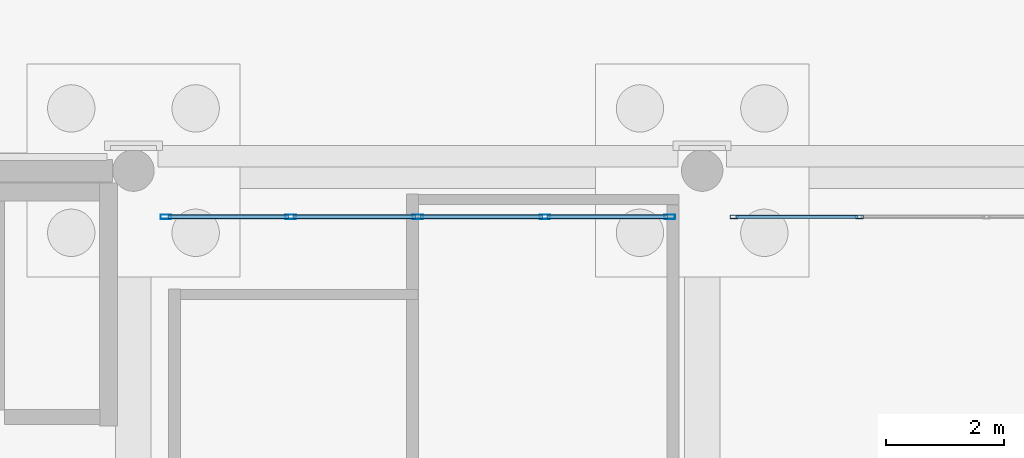
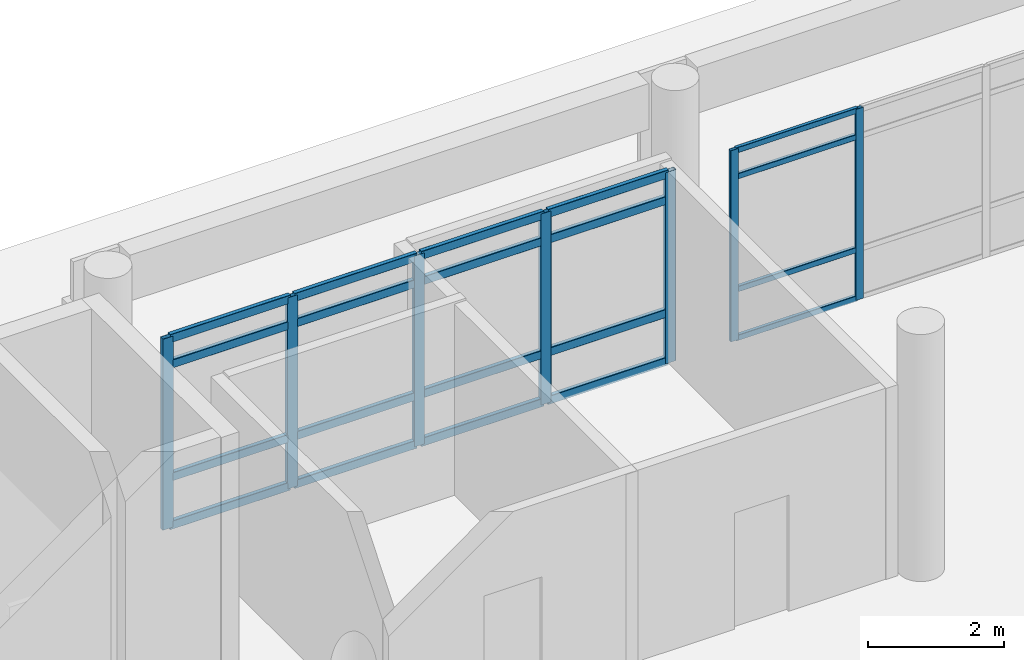
# One storey, part 120 of 196: 27 members, 2 elements without a shape of their own.
"""IFC4 building model written with IfcOpenShell, lengths in metres."""

from ifc_helpers import new_model, si_unit, direction, frame, origin, origin_2d, place, context, subcontext, project, spatial, hollow_rectangle, extrude, material, layer, layer_set, material_profile, profile_set, type_object, element, aggregate, save


model = new_model("IFC4")

# Units and contexts
model_context = context("Model", 3, precision=1e-05, world=origin(), true_north=direction((0.0, 1.0)))
body_context = subcontext(model_context, "Body", "Model", "MODEL_VIEW")
ifc_project = project(units=[si_unit("LENGTHUNIT", "METRE"), si_unit("AREAUNIT", "SQUARE_METRE"), si_unit("VOLUMEUNIT", "CUBIC_METRE"), si_unit("PLANEANGLEUNIT", "RADIAN"), si_unit("MASSUNIT", "GRAM", prefix="KILO")], contexts=[model_context])

# Site, building, storey
site_placement = place(None, origin())
site = spatial("IfcSite", under=ifc_project, at=site_placement, CompositionType="ELEMENT")
building_placement = place(site_placement, origin())
building = spatial("IfcBuilding", under=site, at=building_placement, Name="Asteropetra Specialist Clinic", CompositionType="ELEMENT")
storey_placement = place(building_placement, origin())
storey = spatial("IfcBuildingStorey", under=building, at=storey_placement, Name="L00", CompositionType="ELEMENT", Elevation=0.0)

# Curtain wall, members
ifc_material_1 = material(Name="Aluminium and low-E glass", Category="aluminium")
ifc_layer_1 = layer(ifc_material_1, 0.179931640625)
ifc_layer_set_1 = layer_set([ifc_layer_1], Name="Aluminium and low-E glass")
curtain_wall_type_1 = type_object("IfcCurtainWallType", Name="CW-SYS-10", PredefinedType="USERDEFINED", material=ifc_layer_set_1)
curtain_wall_1_placement = place(storey_placement, origin())
curtain_wall_1 = element("IfcCurtainWall", 1, at=curtain_wall_1_placement, inside=storey, type_object=curtain_wall_type_1, Name="Curtain Wall CW-209", ObjectType="STICK GLAZED COLONNADE", PredefinedType="USERDEFINED")
ifc_material_2 = material(Name="Aluminium 6063-T6", Category="aluminium")
ifc_material_profile_1 = material_profile(ifc_material_2, hollow_rectangle(XDim=0.06005859375, YDim=0.135009765625, WallThickness=0.00341796875, InnerFilletRadius=0.00341796875, OuterFilletRadius=0.007080078125, at=origin_2d()), Name="MUL 135x60x3.5")
ifc_profile_set_1 = profile_set([ifc_material_profile_1], Name="Aluminium 6063-T6")
member_type_1 = type_object("IfcMemberType", Name="CWM-135x60", PredefinedType="MULLION", material=ifc_profile_set_1)
member_1_placement = place(storey_placement, frame((108.2548828125, 104.820068359375, 0.0), z_axis=(0.0, 0.0, 1.0), x_axis=(0.0, -1.0, 0.0)))
member_1 = element("IfcMember", 2, at=member_1_placement, type_object=member_type_1, Name="CW-209 mullion 4", PredefinedType="MULLION", context=body_context, shape_type="SweptSolid", body=[
    extrude(hollow_rectangle(XDim=0.06005859375, YDim=0.135009765625, WallThickness=0.00341796875, InnerFilletRadius=0.00341796875, OuterFilletRadius=0.007080078125, at=origin_2d()), origin(), (0.0, 0.0, 1.0), 3.419921875),
])
member_2_placement = place(storey_placement, frame((106.139892578125, 104.820068359375, 0.0), z_axis=(0.0, 0.0, 1.0), x_axis=(0.0, -1.0, 0.0)))
member_2 = element("IfcMember", 3, at=member_2_placement, type_object=member_type_1, Name="CW-209 mullion 5", PredefinedType="MULLION", context=body_context, shape_type="SweptSolid", body=[
    extrude(hollow_rectangle(XDim=0.06005859375, YDim=0.135009765625, WallThickness=0.00341796875, InnerFilletRadius=0.00341796875, OuterFilletRadius=0.007080078125, at=origin_2d()), origin(), (0.0, 0.0, 1.0), 3.419921875),
])

ifc_material_3 = material(Name="Aluminium and low-E glass", Category="aluminium")
ifc_layer_2 = layer(ifc_material_3, 0.135009765625)
ifc_layer_set_2 = layer_set([ifc_layer_2], Name="Aluminium and low-E glass")
curtain_wall_type_2 = type_object("IfcCurtainWallType", Name="CW-SYS-09", PredefinedType="USERDEFINED", material=ifc_layer_set_2)
curtain_wall_2_placement = place(storey_placement, origin())
curtain_wall_2 = element("IfcCurtainWall", 4, at=curtain_wall_2_placement, inside=storey, type_object=curtain_wall_type_2, Name="Curtain Wall CW-207", ObjectType="STICK GLAZED COLONNADE", PredefinedType="USERDEFINED")
ifc_material_4 = material(Name="Aluminium 6063-T6", Category="aluminium")
ifc_material_profile_2 = material_profile(ifc_material_4, hollow_rectangle(XDim=0.074951171875, YDim=0.179931640625, WallThickness=0.00390625, InnerFilletRadius=0.00390625, OuterFilletRadius=0.008056640625, at=origin_2d()), Name="MUL 180x75x4.0")
ifc_profile_set_2 = profile_set([ifc_material_profile_2], Name="Aluminium 6063-T6")
member_type_2 = type_object("IfcMemberType", Name="CWM-180x75", PredefinedType="MULLION", material=ifc_profile_set_2)
member_3_placement = place(storey_placement, frame((105.052490234375, 104.820068359375, 0.0), z_axis=(0.0, 0.0, 1.0), x_axis=(0.0, -1.0, 0.0)))
member_3 = element("IfcMember", 5, at=member_3_placement, type_object=member_type_2, Name="CW-207 mullion 1", PredefinedType="MULLION", context=body_context, shape_type="SweptSolid", body=[
    extrude(hollow_rectangle(XDim=0.074951171875, YDim=0.179931640625, WallThickness=0.00390625, InnerFilletRadius=0.00390625, OuterFilletRadius=0.008056640625, at=origin_2d()), origin(), (0.0, 0.0, 1.0), 3.419921875),
])
member_4_placement = place(storey_placement, frame((102.945068359375, 104.820068359375, 0.0), z_axis=(0.0, 0.0, 1.0), x_axis=(0.0, -1.0, 0.0)))
member_4 = element("IfcMember", 6, at=member_4_placement, type_object=member_type_2, Name="CW-207 mullion 2", PredefinedType="MULLION", context=body_context, shape_type="SweptSolid", body=[
    extrude(hollow_rectangle(XDim=0.074951171875, YDim=0.179931640625, WallThickness=0.00390625, InnerFilletRadius=0.00390625, OuterFilletRadius=0.008056640625, at=origin_2d()), origin(), (0.0, 0.0, 1.0), 3.419921875),
])
member_5_placement = place(storey_placement, frame((100.800048828125, 104.820068359375, 0.0), z_axis=(0.0, 0.0, 1.0), x_axis=(0.0, -1.0, 0.0)))
member_5 = element("IfcMember", 7, at=member_5_placement, type_object=member_type_2, Name="CW-207 mullion 3", PredefinedType="MULLION", context=body_context, shape_type="SweptSolid", body=[
    extrude(hollow_rectangle(XDim=0.074951171875, YDim=0.179931640625, WallThickness=0.00390625, InnerFilletRadius=0.00390625, OuterFilletRadius=0.008056640625, at=origin_2d()), origin(), (0.0, 0.0, 1.0), 3.419921875),
])
member_6_placement = place(storey_placement, frame((98.655029296875, 104.820068359375, 0.0), z_axis=(0.0, 0.0, 1.0), x_axis=(0.0, -1.0, 0.0)))
member_6 = element("IfcMember", 8, at=member_6_placement, type_object=member_type_2, Name="CW-207 mullion 4", PredefinedType="MULLION", context=body_context, shape_type="SweptSolid", body=[
    extrude(hollow_rectangle(XDim=0.074951171875, YDim=0.179931640625, WallThickness=0.00390625, InnerFilletRadius=0.00390625, OuterFilletRadius=0.008056640625, at=origin_2d()), origin(), (0.0, 0.0, 1.0), 3.419921875),
])
member_7_placement = place(storey_placement, frame((96.547607421875, 104.820068359375, 0.0), z_axis=(0.0, 0.0, 1.0), x_axis=(0.0, -1.0, 0.0)))
member_7 = element("IfcMember", 9, at=member_7_placement, type_object=member_type_2, Name="CW-207 mullion 5", PredefinedType="MULLION", context=body_context, shape_type="SweptSolid", body=[
    extrude(hollow_rectangle(XDim=0.074951171875, YDim=0.179931640625, WallThickness=0.00390625, InnerFilletRadius=0.00390625, OuterFilletRadius=0.008056640625, at=origin_2d()), origin(), (0.0, 0.0, 1.0), 3.419921875),
])

# Member
ifc_material_5 = material(Name="Aluminium 6063-T6", Category="aluminium")
ifc_material_profile_3 = material_profile(ifc_material_5, hollow_rectangle(XDim=0.06005859375, YDim=0.10009765625, WallThickness=0.00341796875, InnerFilletRadius=0.00341796875, OuterFilletRadius=0.007080078125, at=origin_2d()), Name="TRN 100x60x3.5")
ifc_profile_set_3 = profile_set([ifc_material_profile_3], Name="Aluminium 6063-T6")
member_type_3 = type_object("IfcMemberType", Name="CWT-100x60", PredefinedType="USERDEFINED", material=ifc_profile_set_3)
member_8_placement = place(storey_placement, frame((108.22509765625, 104.820068359375, 0.030029296875), z_axis=(-1.0, 0.0, 0.0), x_axis=(0.0, -1.0, 0.0)))
member_8 = element("IfcMember", 10, at=member_8_placement, type_object=member_type_3, Name="CW-209 transom 4.1", ObjectType="TRANSOM", PredefinedType="USERDEFINED", context=body_context, shape_type="SweptSolid", body=[
    extrude(hollow_rectangle(XDim=0.06005859375, YDim=0.10009765625, WallThickness=0.00341796875, InnerFilletRadius=0.00341796875, OuterFilletRadius=0.007080078125, at=origin_2d()), origin(), (0.0, 0.0, 1.0), 2.05517578125),
])

member_9_placement = place(storey_placement, frame((108.22509765625, 104.820068359375, 0.89990234375), z_axis=(-1.0, 0.0, 0.0), x_axis=(0.0, -1.0, 0.0)))
member_9 = element("IfcMember", 11, at=member_9_placement, type_object=member_type_3, Name="CW-209 transom 4.2", ObjectType="TRANSOM", PredefinedType="USERDEFINED", context=body_context, shape_type="SweptSolid", body=[
    extrude(hollow_rectangle(XDim=0.06005859375, YDim=0.10009765625, WallThickness=0.00341796875, InnerFilletRadius=0.00341796875, OuterFilletRadius=0.007080078125, at=origin_2d()), origin(), (0.0, 0.0, 1.0), 2.05517578125),
])

member_10_placement = place(storey_placement, frame((108.22509765625, 104.820068359375, 2.919921875), z_axis=(-1.0, 0.0, 0.0), x_axis=(0.0, -1.0, 0.0)))
member_10 = element("IfcMember", 12, at=member_10_placement, type_object=member_type_3, Name="CW-209 transom 4.3", ObjectType="TRANSOM", PredefinedType="USERDEFINED", context=body_context, shape_type="SweptSolid", body=[
    extrude(hollow_rectangle(XDim=0.06005859375, YDim=0.10009765625, WallThickness=0.00341796875, InnerFilletRadius=0.00341796875, OuterFilletRadius=0.007080078125, at=origin_2d()), origin(), (0.0, 0.0, 1.0), 2.05517578125),
])

member_11_placement = place(storey_placement, frame((108.22509765625, 104.820068359375, 3.389892578125), z_axis=(-1.0, 0.0, 0.0), x_axis=(0.0, -1.0, 0.0)))
member_11 = element("IfcMember", 13, at=member_11_placement, type_object=member_type_3, Name="CW-209 transom 4.4", ObjectType="TRANSOM", PredefinedType="USERDEFINED", context=body_context, shape_type="SweptSolid", body=[
    extrude(hollow_rectangle(XDim=0.06005859375, YDim=0.10009765625, WallThickness=0.00341796875, InnerFilletRadius=0.00341796875, OuterFilletRadius=0.007080078125, at=origin_2d()), origin(), (0.0, 0.0, 1.0), 2.05517578125),
])

aggregate(curtain_wall_1, [member_1, member_2, member_8, member_9, member_10, member_11])

ifc_material_6 = material(Name="Aluminium 6063-T6", Category="aluminium")
ifc_material_profile_4 = material_profile(ifc_material_6, hollow_rectangle(XDim=0.074951171875, YDim=0.14990234375, WallThickness=0.00390625, InnerFilletRadius=0.00390625, OuterFilletRadius=0.008056640625, at=origin_2d()), Name="TRN 150x75x4.0")
ifc_profile_set_4 = profile_set([ifc_material_profile_4], Name="Aluminium 6063-T6")
member_type_4 = type_object("IfcMemberType", Name="CWT-150x75", PredefinedType="USERDEFINED", material=ifc_profile_set_4)
member_12_placement = place(storey_placement, frame((105.014892578125, 104.820068359375, 0.03759765625), z_axis=(-1.0, 0.0, 0.0), x_axis=(0.0, -1.0, 0.0)))
member_12 = element("IfcMember", 14, at=member_12_placement, type_object=member_type_4, Name="CW-207 transom 1.1", ObjectType="TRANSOM", PredefinedType="USERDEFINED", context=body_context, shape_type="SweptSolid", body=[
    extrude(hollow_rectangle(XDim=0.074951171875, YDim=0.14990234375, WallThickness=0.00390625, InnerFilletRadius=0.00390625, OuterFilletRadius=0.008056640625, at=origin_2d()), origin(), (0.0, 0.0, 1.0), 2.032470703125),
])

member_13_placement = place(storey_placement, frame((105.014892578125, 104.820068359375, 0.89990234375), z_axis=(-1.0, 0.0, 0.0), x_axis=(0.0, -1.0, 0.0)))
member_13 = element("IfcMember", 15, at=member_13_placement, type_object=member_type_4, Name="CW-207 transom 1.2", ObjectType="TRANSOM", PredefinedType="USERDEFINED", context=body_context, shape_type="SweptSolid", body=[
    extrude(hollow_rectangle(XDim=0.074951171875, YDim=0.14990234375, WallThickness=0.00390625, InnerFilletRadius=0.00390625, OuterFilletRadius=0.008056640625, at=origin_2d()), origin(), (0.0, 0.0, 1.0), 2.032470703125),
])

member_14_placement = place(storey_placement, frame((105.014892578125, 104.820068359375, 2.919921875), z_axis=(-1.0, 0.0, 0.0), x_axis=(0.0, -1.0, 0.0)))
member_14 = element("IfcMember", 16, at=member_14_placement, type_object=member_type_4, Name="CW-207 transom 1.3", ObjectType="TRANSOM", PredefinedType="USERDEFINED", context=body_context, shape_type="SweptSolid", body=[
    extrude(hollow_rectangle(XDim=0.074951171875, YDim=0.14990234375, WallThickness=0.00390625, InnerFilletRadius=0.00390625, OuterFilletRadius=0.008056640625, at=origin_2d()), origin(), (0.0, 0.0, 1.0), 2.032470703125),
])

member_15_placement = place(storey_placement, frame((105.014892578125, 104.820068359375, 3.382568359375), z_axis=(-1.0, 0.0, 0.0), x_axis=(0.0, -1.0, 0.0)))
member_15 = element("IfcMember", 17, at=member_15_placement, type_object=member_type_4, Name="CW-207 transom 1.4", ObjectType="TRANSOM", PredefinedType="USERDEFINED", context=body_context, shape_type="SweptSolid", body=[
    extrude(hollow_rectangle(XDim=0.074951171875, YDim=0.14990234375, WallThickness=0.00390625, InnerFilletRadius=0.00390625, OuterFilletRadius=0.008056640625, at=origin_2d()), origin(), (0.0, 0.0, 1.0), 2.032470703125),
])

member_16_placement = place(storey_placement, frame((102.907470703125, 104.820068359375, 0.03759765625), z_axis=(-1.0, 0.0, 0.0), x_axis=(0.0, -1.0, 0.0)))
member_16 = element("IfcMember", 18, at=member_16_placement, type_object=member_type_4, Name="CW-207 transom 2.1", ObjectType="TRANSOM", PredefinedType="USERDEFINED", context=body_context, shape_type="SweptSolid", body=[
    extrude(hollow_rectangle(XDim=0.074951171875, YDim=0.14990234375, WallThickness=0.00390625, InnerFilletRadius=0.00390625, OuterFilletRadius=0.008056640625, at=origin_2d()), origin(), (0.0, 0.0, 1.0), 2.070068359375),
])

member_17_placement = place(storey_placement, frame((102.907470703125, 104.820068359375, 0.89990234375), z_axis=(-1.0, 0.0, 0.0), x_axis=(0.0, -1.0, 0.0)))
member_17 = element("IfcMember", 19, at=member_17_placement, type_object=member_type_4, Name="CW-207 transom 2.2", ObjectType="TRANSOM", PredefinedType="USERDEFINED", context=body_context, shape_type="SweptSolid", body=[
    extrude(hollow_rectangle(XDim=0.074951171875, YDim=0.14990234375, WallThickness=0.00390625, InnerFilletRadius=0.00390625, OuterFilletRadius=0.008056640625, at=origin_2d()), origin(), (0.0, 0.0, 1.0), 2.070068359375),
])

member_18_placement = place(storey_placement, frame((102.907470703125, 104.820068359375, 2.919921875), z_axis=(-1.0, 0.0, 0.0), x_axis=(0.0, -1.0, 0.0)))
member_18 = element("IfcMember", 20, at=member_18_placement, type_object=member_type_4, Name="CW-207 transom 2.3", ObjectType="TRANSOM", PredefinedType="USERDEFINED", context=body_context, shape_type="SweptSolid", body=[
    extrude(hollow_rectangle(XDim=0.074951171875, YDim=0.14990234375, WallThickness=0.00390625, InnerFilletRadius=0.00390625, OuterFilletRadius=0.008056640625, at=origin_2d()), origin(), (0.0, 0.0, 1.0), 2.070068359375),
])

member_19_placement = place(storey_placement, frame((102.907470703125, 104.820068359375, 3.382568359375), z_axis=(-1.0, 0.0, 0.0), x_axis=(0.0, -1.0, 0.0)))
member_19 = element("IfcMember", 21, at=member_19_placement, type_object=member_type_4, Name="CW-207 transom 2.4", ObjectType="TRANSOM", PredefinedType="USERDEFINED", context=body_context, shape_type="SweptSolid", body=[
    extrude(hollow_rectangle(XDim=0.074951171875, YDim=0.14990234375, WallThickness=0.00390625, InnerFilletRadius=0.00390625, OuterFilletRadius=0.008056640625, at=origin_2d()), origin(), (0.0, 0.0, 1.0), 2.070068359375),
])

member_20_placement = place(storey_placement, frame((100.762451171875, 104.820068359375, 0.03759765625), z_axis=(-1.0, 0.0, 0.0), x_axis=(0.0, -1.0, 0.0)))
member_20 = element("IfcMember", 22, at=member_20_placement, type_object=member_type_4, Name="CW-207 transom 3.1", ObjectType="TRANSOM", PredefinedType="USERDEFINED", context=body_context, shape_type="SweptSolid", body=[
    extrude(hollow_rectangle(XDim=0.074951171875, YDim=0.14990234375, WallThickness=0.00390625, InnerFilletRadius=0.00390625, OuterFilletRadius=0.008056640625, at=origin_2d()), origin(), (0.0, 0.0, 1.0), 2.070068359375),
])

member_21_placement = place(storey_placement, frame((100.762451171875, 104.820068359375, 0.89990234375), z_axis=(-1.0, 0.0, 0.0), x_axis=(0.0, -1.0, 0.0)))
member_21 = element("IfcMember", 23, at=member_21_placement, type_object=member_type_4, Name="CW-207 transom 3.2", ObjectType="TRANSOM", PredefinedType="USERDEFINED", context=body_context, shape_type="SweptSolid", body=[
    extrude(hollow_rectangle(XDim=0.074951171875, YDim=0.14990234375, WallThickness=0.00390625, InnerFilletRadius=0.00390625, OuterFilletRadius=0.008056640625, at=origin_2d()), origin(), (0.0, 0.0, 1.0), 2.070068359375),
])

member_22_placement = place(storey_placement, frame((100.762451171875, 104.820068359375, 2.919921875), z_axis=(-1.0, 0.0, 0.0), x_axis=(0.0, -1.0, 0.0)))
member_22 = element("IfcMember", 24, at=member_22_placement, type_object=member_type_4, Name="CW-207 transom 3.3", ObjectType="TRANSOM", PredefinedType="USERDEFINED", context=body_context, shape_type="SweptSolid", body=[
    extrude(hollow_rectangle(XDim=0.074951171875, YDim=0.14990234375, WallThickness=0.00390625, InnerFilletRadius=0.00390625, OuterFilletRadius=0.008056640625, at=origin_2d()), origin(), (0.0, 0.0, 1.0), 2.070068359375),
])

member_23_placement = place(storey_placement, frame((100.762451171875, 104.820068359375, 3.382568359375), z_axis=(-1.0, 0.0, 0.0), x_axis=(0.0, -1.0, 0.0)))
member_23 = element("IfcMember", 25, at=member_23_placement, type_object=member_type_4, Name="CW-207 transom 3.4", ObjectType="TRANSOM", PredefinedType="USERDEFINED", context=body_context, shape_type="SweptSolid", body=[
    extrude(hollow_rectangle(XDim=0.074951171875, YDim=0.14990234375, WallThickness=0.00390625, InnerFilletRadius=0.00390625, OuterFilletRadius=0.008056640625, at=origin_2d()), origin(), (0.0, 0.0, 1.0), 2.070068359375),
])

member_24_placement = place(storey_placement, frame((98.617431640625, 104.820068359375, 0.03759765625), z_axis=(-1.0, 0.0, 0.0), x_axis=(0.0, -1.0, 0.0)))
member_24 = element("IfcMember", 26, at=member_24_placement, type_object=member_type_4, Name="CW-207 transom 4.1", ObjectType="TRANSOM", PredefinedType="USERDEFINED", context=body_context, shape_type="SweptSolid", body=[
    extrude(hollow_rectangle(XDim=0.074951171875, YDim=0.14990234375, WallThickness=0.00390625, InnerFilletRadius=0.00390625, OuterFilletRadius=0.008056640625, at=origin_2d()), origin(), (0.0, 0.0, 1.0), 2.032470703125),
])

member_25_placement = place(storey_placement, frame((98.617431640625, 104.820068359375, 0.89990234375), z_axis=(-1.0, 0.0, 0.0), x_axis=(0.0, -1.0, 0.0)))
member_25 = element("IfcMember", 27, at=member_25_placement, type_object=member_type_4, Name="CW-207 transom 4.2", ObjectType="TRANSOM", PredefinedType="USERDEFINED", context=body_context, shape_type="SweptSolid", body=[
    extrude(hollow_rectangle(XDim=0.074951171875, YDim=0.14990234375, WallThickness=0.00390625, InnerFilletRadius=0.00390625, OuterFilletRadius=0.008056640625, at=origin_2d()), origin(), (0.0, 0.0, 1.0), 2.032470703125),
])

member_26_placement = place(storey_placement, frame((98.617431640625, 104.820068359375, 2.919921875), z_axis=(-1.0, 0.0, 0.0), x_axis=(0.0, -1.0, 0.0)))
member_26 = element("IfcMember", 28, at=member_26_placement, type_object=member_type_4, Name="CW-207 transom 4.3", ObjectType="TRANSOM", PredefinedType="USERDEFINED", context=body_context, shape_type="SweptSolid", body=[
    extrude(hollow_rectangle(XDim=0.074951171875, YDim=0.14990234375, WallThickness=0.00390625, InnerFilletRadius=0.00390625, OuterFilletRadius=0.008056640625, at=origin_2d()), origin(), (0.0, 0.0, 1.0), 2.032470703125),
])

member_27_placement = place(storey_placement, frame((98.617431640625, 104.820068359375, 3.382568359375), z_axis=(-1.0, 0.0, 0.0), x_axis=(0.0, -1.0, 0.0)))
member_27 = element("IfcMember", 29, at=member_27_placement, type_object=member_type_4, Name="CW-207 transom 4.4", ObjectType="TRANSOM", PredefinedType="USERDEFINED", context=body_context, shape_type="SweptSolid", body=[
    extrude(hollow_rectangle(XDim=0.074951171875, YDim=0.14990234375, WallThickness=0.00390625, InnerFilletRadius=0.00390625, OuterFilletRadius=0.008056640625, at=origin_2d()), origin(), (0.0, 0.0, 1.0), 2.032470703125),
])

aggregate(curtain_wall_2, [member_3, member_4, member_5, member_6, member_7, member_12, member_13, member_14, member_15, member_16, member_17, member_18, member_19, member_20, member_21, member_22, member_23, member_24, member_25, member_26, member_27])

save(model, "model.ifc")
